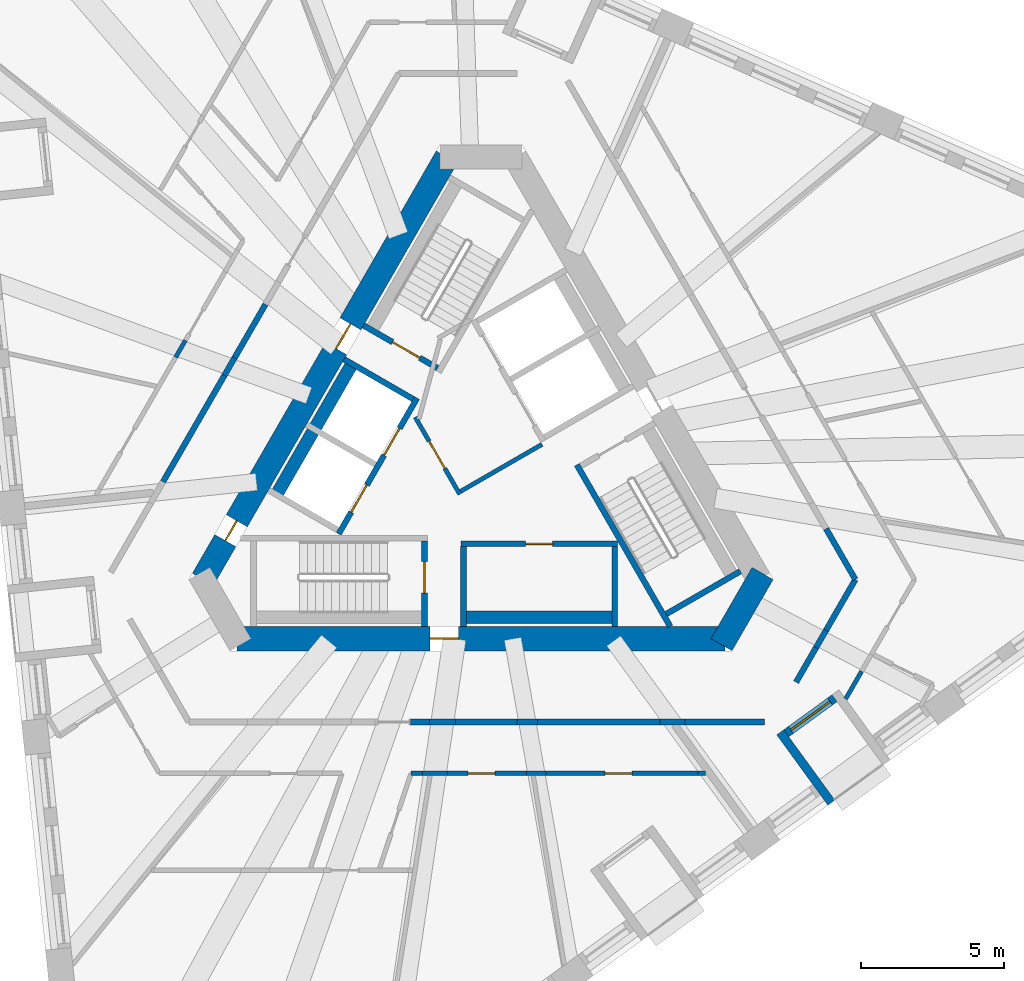
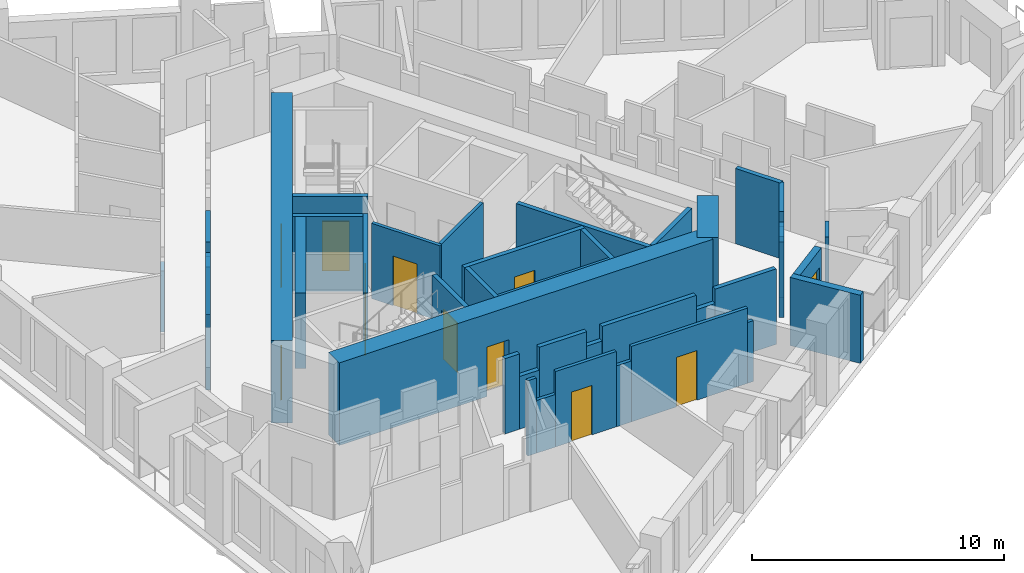
# One storey, part 4 of 14: 40 walls, 12 doors, 12 openings.
"""IFC4 building model written with IfcOpenShell, lengths in metres."""

from ifc_helpers import new_model, si_unit, direction, frame, frame_2d, origin, place, context, subcontext, project, spatial, rectangle, extrude, material, layer, layer_set, type_object, element, fill, save


model = new_model("IFC4")

# Units and contexts
model_context = context("Model", 3, precision=1e-05, world=origin(), true_north=direction((0.0, 1.0)))
body_context = subcontext(model_context, "Body", "Model", "MODEL_VIEW")
ifc_project = project(units=[si_unit("LENGTHUNIT", "METRE"), si_unit("AREAUNIT", "SQUARE_METRE"), si_unit("VOLUMEUNIT", "CUBIC_METRE"), si_unit("PLANEANGLEUNIT", "RADIAN"), si_unit("MASSUNIT", "GRAM", prefix="KILO")], contexts=[model_context])

# Site, building, storey
site_placement = place(None, origin())
site = spatial("IfcSite", under=ifc_project, at=site_placement, CompositionType="ELEMENT")
building_placement = place(site_placement, origin())
building = spatial("IfcBuilding", under=site, at=building_placement, Name="Tramontana Tower", CompositionType="ELEMENT")
storey_placement = place(building_placement, frame((0.0, 0.0, 166.800048828125)))
storey = spatial("IfcBuildingStorey", under=building, at=storey_placement, Name="L38", CompositionType="ELEMENT", Elevation=166.800048828125)

# Wall, openings, doors
ifc_material_1 = material(Name="Concrete 70 MPa", Category="concrete")
ifc_layer_1 = layer(ifc_material_1, 0.85009765625)
ifc_layer_set_1 = layer_set([ifc_layer_1], Name="Core wall 850 70 MPa")
wall_type_1 = type_object("IfcWallType", Name="Core wall 850 70 MPa", PredefinedType="SHEAR", material=ifc_layer_set_1)
wall_1_placement = place(storey_placement, frame((-1.197998046875, 10.574951171875, 0.0), z_axis=(0.0, 0.0, 1.0), x_axis=(-0.499995289315, -0.866028123483, 0.0)))
wall_1 = element("IfcWall", 1, at=wall_1_placement, inside=storey, type_object=wall_type_1, Name="Core wall C1 L38", PredefinedType="SHEAR", context=body_context, shape_type="SweptSolid", body=[
    extrude(rectangle(XDim=17.118408203125, YDim=0.85009765625, at=frame_2d((8.55908203125, 0.0))), origin(), (0.0, 0.0, 1.0), 4.0),
])
opening_1_placement = place(wall_1_placement, frame((6.76416015625, 0.0, 0.0)))
opening_1 = element("IfcOpeningElement", 2, at=opening_1_placement, cuts=wall_1, Name="Opening RG1", PredefinedType="OPENING", context=body_context, shape_type="SweptSolid", body=[
    extrude(rectangle(XDim=1.0, YDim=2.39990234375, at=frame_2d((0.5, 1.199951171875))), frame((0.0, 0.43505859375, 0.0), z_axis=(0.0, -1.0, 0.0), x_axis=(1.0, 0.0, 0.0)), (0.0, 0.0, 1.0), 0.8701171875),
])
opening_2_placement = place(wall_1_placement, frame((14.7421875, 0.0, 0.0)))
opening_2 = element("IfcOpeningElement", 3, at=opening_2_placement, cuts=wall_1, Name="Opening PD1", PredefinedType="OPENING", context=body_context, shape_type="SweptSolid", body=[
    extrude(rectangle(XDim=0.800048828125, YDim=2.10009765625, at=frame_2d((0.39990234375, 1.050048828125))), frame((0.0, 0.43505859375, 0.0), z_axis=(0.0, -1.0, 0.0), x_axis=(1.0, 0.0, 0.0)), (0.0, 0.0, 1.0), 0.8701171875),
])
ifc_material_2 = material(Name="Painted steel", Category="steel")
door_type_1 = type_object("IfcDoorType", Name="CUPBOARD DOOR 800", OperationType="SINGLE_SWING_LEFT", PredefinedType="DOOR", material=ifc_material_2)
door_1_placement = place(opening_2_placement, origin())
door_1 = element("IfcDoor", 4, at=door_1_placement, inside=storey, type_object=door_type_1, Name="Door PD1", OperationType="SINGLE_SWING_RIGHT", OverallHeight=2.10009765625, OverallWidth=0.800048828125, PredefinedType="DOOR", context=body_context, shape_type="SweptSolid", body=[
    extrude(rectangle(XDim=0.800048828125, YDim=2.10009765625, at=frame_2d((0.39990234375, 1.050048828125))), frame((0.0, 0.02490234375, 0.0), z_axis=(0.0, -1.0, 0.0), x_axis=(1.0, 0.0, 0.0)), (0.0, 0.0, 1.0), 0.050048828125),
])
fill(opening_2, door_1)
ifc_material_3 = material(Name="Painted steel", Category="steel")
door_type_2 = type_object("IfcDoorType", Name="RING DOOR 1000", OperationType="SINGLE_SWING_LEFT", PredefinedType="DOOR", material=ifc_material_3)
door_2_placement = place(opening_1_placement, origin())
door_2 = element("IfcDoor", 5, at=door_2_placement, inside=storey, type_object=door_type_2, Name="Door RG1", OperationType="SINGLE_SWING_LEFT", OverallHeight=2.39990234375, OverallWidth=1.0, PredefinedType="DOOR", context=body_context, shape_type="SweptSolid", body=[
    extrude(rectangle(XDim=1.0, YDim=2.39990234375, at=frame_2d((0.5, 1.199951171875))), frame((0.0, 0.02490234375, 0.0), z_axis=(0.0, -1.0, 0.0), x_axis=(1.0, 0.0, 0.0)), (0.0, 0.0, 1.0), 0.050048828125),
])
fill(opening_1, door_2)

# Wall, opening, door
wall_2_placement = place(storey_placement, frame((-8.55908203125, -6.324951171875, 0.0), z_axis=(0.0, 0.0, 1.0), x_axis=(1.0, 0.0, 0.0)))
wall_2 = element("IfcWall", 6, at=wall_2_placement, inside=storey, type_object=wall_type_1, Name="Core wall C3 L38", PredefinedType="SHEAR", context=body_context, shape_type="SweptSolid", body=[
    extrude(rectangle(XDim=17.1181640625, YDim=0.85009765625, at=frame_2d((8.55908203125, 0.0))), origin(), (0.0, 0.0, 1.0), 4.0),
])
opening_3_placement = place(wall_2_placement, frame((6.76416015625, 0.0, 0.0)))
opening_3 = element("IfcOpeningElement", 7, at=opening_3_placement, cuts=wall_2, Name="Opening RG2", PredefinedType="OPENING", context=body_context, shape_type="SweptSolid", body=[
    extrude(rectangle(XDim=1.0, YDim=2.39990234375, at=frame_2d((0.5, 1.199951171875))), frame((0.0, 0.43505859375, 0.0), z_axis=(0.0, -1.0, 0.0), x_axis=(1.0, 0.0, 0.0)), (0.0, 0.0, 1.0), 0.8701171875),
])
door_3_placement = place(opening_3_placement, origin())
door_3 = element("IfcDoor", 8, at=door_3_placement, inside=storey, type_object=door_type_2, Name="Door RG2", OperationType="SINGLE_SWING_RIGHT", OverallHeight=2.39990234375, OverallWidth=1.0, PredefinedType="DOOR", context=body_context, shape_type="SweptSolid", body=[
    extrude(rectangle(XDim=1.0, YDim=2.39990234375, at=frame_2d((0.5, 1.199951171875))), frame((0.0, 0.02490234375, 0.0), z_axis=(0.0, -1.0, 0.0), x_axis=(1.0, 0.0, 0.0)), (0.0, 0.0, 1.0), 0.050048828125),
])
fill(opening_3, door_3)

# Walls
wall_3_placement = place(storey_placement, frame((8.4365234375, -6.53759765625, 0.0), z_axis=(0.0, 0.0, 1.0), x_axis=(0.499995765644, 0.866027848477, 0.0)))
element("IfcWall", 9, at=wall_3_placement, inside=storey, type_object=wall_type_1, Name="Core wall C4 L38", PredefinedType="SHEAR", context=body_context, shape_type="SweptSolid", body=[
    extrude(rectangle(XDim=2.88671875, YDim=0.85009765625, at=frame_2d((1.443359375, 0.0))), origin(), (0.0, 0.0, 1.0), 4.0),
])
ifc_material_4 = material(Name="Blockwork", Category="masonry")
ifc_layer_2 = layer(ifc_material_4, 0.199951171875)
ifc_layer_set_2 = layer_set([ifc_layer_2], Name="ENTRY WALL 200")
wall_type_2 = type_object("IfcWallType", Name="ENTRY WALL 200", PredefinedType="SOLIDWALL", material=ifc_layer_set_2)
wall_4_placement = place(storey_placement, frame((12.106689453125, -2.46923828125, 0.0), z_axis=(0.0, 0.0, 1.0), x_axis=(0.499982825521, -0.866035319247, 0.0)))
element("IfcWall", 10, at=wall_4_placement, inside=storey, type_object=wall_type_2, Name="Wall v40-ew0-12", PredefinedType="SOLIDWALL", context=body_context, shape_type="SweptSolid", body=[
    extrude(rectangle(XDim=2.05615234375, YDim=0.199951171875, at=frame_2d((1.028076171875, 0.0))), origin(), (0.0, 0.0, 1.0), 3.64990234375),
])
wall_5_placement = place(storey_placement, frame((13.134765625, -4.25, 0.0), z_axis=(0.0, 0.0, 1.0), x_axis=(-0.500030520673, -0.866007781949, 0.0)))
element("IfcWall", 11, at=wall_5_placement, inside=storey, type_object=wall_type_2, Name="Wall v40-ew1-0", PredefinedType="SOLIDWALL", context=body_context, shape_type="SweptSolid", body=[
    extrude(rectangle(XDim=2.057861328125, YDim=0.199951171875, at=frame_2d((1.02880859375, 0.0))), origin(), (0.0, 0.0, 1.0), 3.64990234375),
])
wall_6_placement = place(storey_placement, frame((12.105712890625, -6.0322265625, 0.0), z_axis=(0.0, 0.0, 1.0), x_axis=(-0.49996389635, -0.866046247233, 0.0)))
element("IfcWall", 12, at=wall_6_placement, inside=storey, type_object=wall_type_2, Name="Wall v40-ew1-1", PredefinedType="SOLIDWALL", context=body_context, shape_type="SweptSolid", body=[
    extrude(rectangle(XDim=0.7001953125, YDim=0.199951171875, at=frame_2d((0.35009765625, 0.0))), origin(), (0.0, 0.0, 1.0), 2.949951171875),
])
wall_7_placement = place(storey_placement, frame((11.755615234375, -6.638671875, 0.0), z_axis=(0.0, 0.0, 1.0), x_axis=(-0.49998411664, -0.866034573852, 0.0)))
element("IfcWall", 13, at=wall_7_placement, inside=storey, type_object=wall_type_2, Name="Wall v40-ew1-2", PredefinedType="SOLIDWALL", context=body_context, shape_type="SweptSolid", body=[
    extrude(rectangle(XDim=1.39990234375, YDim=0.199951171875, at=frame_2d((0.699951171875, 0.0))), origin(), (0.0, 0.0, 1.0), 3.64990234375),
])
wall_8_placement = place(storey_placement, frame((9.95166015625, -9.25, 0.0), z_axis=(0.0, 0.0, 1.0), x_axis=(-1.0, 0.0, 0.0)))
element("IfcWall", 14, at=wall_8_placement, inside=storey, type_object=wall_type_2, Name="Wall v40-ew2-0", PredefinedType="SOLIDWALL", context=body_context, shape_type="SweptSolid", body=[
    extrude(rectangle(XDim=2.798583984375, YDim=0.199951171875, at=frame_2d((1.3994140625, 0.0))), origin(), (0.0, 0.0, 1.0), 3.64990234375),
])
wall_9_placement = place(storey_placement, frame((7.153076171875, -9.25, 0.0), z_axis=(0.0, 0.0, 1.0), x_axis=(-1.0, 0.0, 0.0)))
element("IfcWall", 15, at=wall_9_placement, inside=storey, type_object=wall_type_2, Name="Wall v40-ew2-1", PredefinedType="SOLIDWALL", context=body_context, shape_type="SweptSolid", body=[
    extrude(rectangle(XDim=0.865234375, YDim=0.199951171875, at=frame_2d((0.4326171875, 0.0))), origin(), (0.0, 0.0, 1.0), 2.949951171875),
])
wall_10_placement = place(storey_placement, frame((6.287841796875, -9.25, 0.0), z_axis=(0.0, 0.0, 1.0), x_axis=(-1.0, 0.0, 0.0)))
element("IfcWall", 16, at=wall_10_placement, inside=storey, type_object=wall_type_2, Name="Wall v40-ew2-2", PredefinedType="SOLIDWALL", context=body_context, shape_type="SweptSolid", body=[
    extrude(rectangle(XDim=4.306640625, YDim=0.199951171875, at=frame_2d((2.1533203125, 0.0))), origin(), (0.0, 0.0, 1.0), 3.64990234375),
])
wall_11_placement = place(storey_placement, frame((1.981201171875, -9.25, 0.0), z_axis=(0.0, 0.0, 1.0), x_axis=(-1.0, 0.0, 0.0)))
element("IfcWall", 17, at=wall_11_placement, inside=storey, type_object=wall_type_2, Name="Wall v40-ew2-3", PredefinedType="SOLIDWALL", context=body_context, shape_type="SweptSolid", body=[
    extrude(rectangle(XDim=0.710693359375, YDim=0.199951171875, at=frame_2d((0.35546875, 0.0))), origin(), (0.0, 0.0, 1.0), 2.949951171875),
])
wall_12_placement = place(storey_placement, frame((1.2705078125, -9.25, 0.0), z_axis=(0.0, 0.0, 1.0), x_axis=(-1.0, 0.0, 0.0)))
element("IfcWall", 18, at=wall_12_placement, inside=storey, type_object=wall_type_2, Name="Wall v40-ew2-4", PredefinedType="SOLIDWALL", context=body_context, shape_type="SweptSolid", body=[
    extrude(rectangle(XDim=2.169677734375, YDim=0.199951171875, at=frame_2d((1.0849609375, 0.0))), origin(), (0.0, 0.0, 1.0), 3.64990234375),
])
wall_13_placement = place(storey_placement, frame((-0.899169921875, -9.25, 0.0), z_axis=(0.0, 0.0, 1.0), x_axis=(-1.0, 0.0, 0.0)))
element("IfcWall", 19, at=wall_13_placement, inside=storey, type_object=wall_type_2, Name="Wall v40-ew2-5", PredefinedType="SOLIDWALL", context=body_context, shape_type="SweptSolid", body=[
    extrude(rectangle(XDim=0.909423828125, YDim=0.199951171875, at=frame_2d((0.45458984375, 0.0))), origin(), (0.0, 0.0, 1.0), 2.550048828125),
])
wall_14_placement = place(storey_placement, frame((-1.80859375, -9.25, 0.0), z_axis=(0.0, 0.0, 1.0), x_axis=(-1.0, 0.0, 0.0)))
element("IfcWall", 20, at=wall_14_placement, inside=storey, type_object=wall_type_2, Name="Wall v40-ew2-6", PredefinedType="SOLIDWALL", context=body_context, shape_type="SweptSolid", body=[
    extrude(rectangle(XDim=0.659423828125, YDim=0.199951171875, at=frame_2d((0.32958984375, 0.0))), origin(), (0.0, 0.0, 1.0), 3.64990234375),
])
wall_15_placement = place(storey_placement, frame((-11.15478515625, -0.820556640625, 0.0), z_axis=(0.0, 0.0, 1.0), x_axis=(0.499992344383, 0.866029823712, 0.0)))
element("IfcWall", 21, at=wall_15_placement, inside=storey, type_object=wall_type_2, Name="Wall v40-ew4-2", PredefinedType="SOLIDWALL", context=body_context, shape_type="SweptSolid", body=[
    extrude(rectangle(XDim=4.306640625, YDim=0.199951171875, at=frame_2d((2.1533203125, 0.0))), origin(), (0.0, 0.0, 1.0), 3.64990234375),
])
wall_16_placement = place(storey_placement, frame((-9.00146484375, 2.9091796875, 0.0), z_axis=(0.0, 0.0, 1.0), x_axis=(0.50012879774, 0.865951029603, 0.0)))
element("IfcWall", 22, at=wall_16_placement, inside=storey, type_object=wall_type_2, Name="Wall v40-ew4-3", PredefinedType="SOLIDWALL", context=body_context, shape_type="SweptSolid", body=[
    extrude(rectangle(XDim=0.710693359375, YDim=0.199951171875, at=frame_2d((0.35546875, 0.0))), origin(), (0.0, 0.0, 1.0), 2.949951171875),
])
wall_17_placement = place(storey_placement, frame((-8.64599609375, 3.524658203125, 0.0), z_axis=(0.0, 0.0, 1.0), x_axis=(0.499975720793, 0.866039420937, 0.0)))
element("IfcWall", 23, at=wall_17_placement, inside=storey, type_object=wall_type_2, Name="Wall v40-ew4-4", PredefinedType="SOLIDWALL", context=body_context, shape_type="SweptSolid", body=[
    extrude(rectangle(XDim=2.16943359375, YDim=0.199951171875, at=frame_2d((1.084716796875, 0.0))), origin(), (0.0, 0.0, 1.0), 3.64990234375),
])

# Wall, opening, door
ifc_material_5 = material(Name="Precast concrete 60 MPa", Category="concrete")
ifc_layer_3 = layer(ifc_material_5, 0.300048828125)
ifc_layer_set_3 = layer_set([ifc_layer_3], Name="LW1 Stone-faced loggia wall 300")
wall_type_3 = type_object("IfcWallType", Name="LW1 Stone-faced loggia wall 300", PredefinedType="SOLIDWALL", material=ifc_layer_set_3)
wall_18_placement = place(storey_placement, frame((10.710205078125, -9.647216796875, 0.0), z_axis=(0.0, 0.0, 1.0), x_axis=(0.808972932648, 0.587845893277, 0.0)))
wall_18 = element("IfcWall", 24, at=wall_18_placement, inside=storey, type_object=wall_type_3, Name="Loggia wall L38 G4S1.10", PredefinedType="SOLIDWALL", context=body_context, shape_type="SweptSolid", body=[
    extrude(rectangle(XDim=2.094482421875, YDim=0.300048828125, at=frame_2d((1.04736328125, 0.0))), origin(), (0.0, 0.0, 1.0), 3.300048828125),
])
opening_4_placement = place(wall_18_placement, frame((0.197265625, 0.0, 0.0)))
opening_4 = element("IfcOpeningElement", 25, at=opening_4_placement, cuts=wall_18, Name="Opening BD-4S1-10", PredefinedType="OPENING", context=body_context, shape_type="SweptSolid", body=[
    extrude(rectangle(XDim=1.699951171875, YDim=2.449951171875, at=frame_2d((0.85009765625, 1.22509765625))), frame((0.0, 0.159912109375, 0.0), z_axis=(0.0, -1.0, 0.0), x_axis=(1.0, 0.0, 0.0)), (0.0, 0.0, 1.0), 0.320068359375),
])
ifc_material_6 = material(Name="Aluminum frame, double glazing unit", Category="aluminium")
door_type_3 = type_object("IfcDoorType", Name="BD2 Sliding door 1.7 x 2.45", OperationType="SLIDING_TO_LEFT", PredefinedType="DOOR", material=ifc_material_6)
door_4_placement = place(opening_4_placement, origin())
door_4 = element("IfcDoor", 26, at=door_4_placement, inside=storey, type_object=door_type_3, Name="Loggia door L38 G4S1.10", OperationType="SLIDING_TO_LEFT", OverallHeight=2.449951171875, OverallWidth=1.699951171875, PredefinedType="DOOR", context=body_context, shape_type="SweptSolid", body=[
    extrude(rectangle(XDim=1.699951171875, YDim=2.449951171875, at=frame_2d((0.85009765625, 1.22509765625))), frame((0.0, 0.02490234375, 0.0), z_axis=(0.0, -1.0, 0.0), x_axis=(1.0, 0.0, 0.0)), (0.0, 0.0, 1.0), 0.050048828125),
])
fill(opening_4, door_4)

# Wall
wall_19_placement = place(storey_placement, frame((12.29345703125, -12.08154296875, 0.0), z_axis=(0.0, 0.0, 1.0), x_axis=(-0.587776590479, 0.80902328748, 0.0)))
element("IfcWall", 27, at=wall_19_placement, inside=storey, type_object=wall_type_3, Name="Loggia return L38 G4S1.10a", PredefinedType="SOLIDWALL", context=body_context, shape_type="SweptSolid", body=[
    extrude(rectangle(XDim=3.050048828125, YDim=0.300048828125, at=frame_2d((1.52490234375, 0.0))), origin(), (0.0, 0.0, 1.0), 3.300048828125),
])

# Wall, opening, door
ifc_material_7 = material(Name="Gypsum board partition")
ifc_layer_4 = layer(ifc_material_7, 0.14990234375)
ifc_layer_set_4 = layer_set([ifc_layer_4], Name="PARTITION 150")
wall_type_4 = type_object("IfcWallType", Name="PARTITION 150", PredefinedType="PARTITIONING", material=ifc_layer_set_4)
wall_20_placement = place(storey_placement, frame((-0.744140625, -1.260986328125, 0.0), z_axis=(0.0, 0.0, 1.0), x_axis=(-0.500004234368, 0.866022959057, 0.0)))
wall_20 = element("IfcWall", 28, at=wall_20_placement, inside=storey, type_object=wall_type_4, Name="Wall ff-front", PredefinedType="PARTITIONING", context=body_context, shape_type="SweptSolid", body=[
    extrude(rectangle(XDim=3.125, YDim=0.14990234375, at=frame_2d((1.5625, 0.0))), origin(), (0.0, 0.0, 1.0), 3.64990234375),
])
opening_5_placement = place(wall_20_placement, frame((1.050048828125, 0.0, 0.0)))
opening_5 = element("IfcOpeningElement", 29, at=opening_5_placement, cuts=wall_20, Name="Opening FD1", PredefinedType="OPENING", context=body_context, shape_type="SweptSolid", body=[
    extrude(rectangle(XDim=1.10009765625, YDim=2.39990234375, at=frame_2d((0.550048828125, 1.199951171875))), frame((0.0, 0.0849609375, 0.0), z_axis=(0.0, -1.0, 0.0), x_axis=(1.0, 0.0, 0.0)), (0.0, 0.0, 1.0), 0.169921875),
])
ifc_material_8 = material(Name="Painted timber", Category="wood")
door_type_4 = type_object("IfcDoorType", Name="DOOR ENTRY 1100", OperationType="SINGLE_SWING_LEFT", PredefinedType="DOOR", material=ifc_material_8)
door_5_placement = place(opening_5_placement, origin())
door_5 = element("IfcDoor", 30, at=door_5_placement, inside=storey, type_object=door_type_4, Name="Door FD1", OperationType="SINGLE_SWING_RIGHT", OverallHeight=2.39990234375, OverallWidth=1.10009765625, PredefinedType="DOOR", context=body_context, shape_type="SweptSolid", body=[
    extrude(rectangle(XDim=1.10009765625, YDim=2.39990234375, at=frame_2d((0.550048828125, 1.199951171875))), frame((0.0, 0.02490234375, 0.0), z_axis=(0.0, -1.0, 0.0), x_axis=(1.0, 0.0, 0.0)), (0.0, 0.0, 1.0), 0.050048828125),
])
fill(opening_5, door_5)

# Walls
wall_21_placement = place(storey_placement, frame((-0.716796875, -1.15869140625, 0.0), z_axis=(0.0, 0.0, 1.0), x_axis=(0.866008176907, 0.50002983664, 0.0)))
element("IfcWall", 31, at=wall_21_placement, inside=storey, type_object=wall_type_4, Name="Wall ff-end0", PredefinedType="PARTITIONING", context=body_context, shape_type="SweptSolid", body=[
    extrude(rectangle(XDim=3.300048828125, YDim=0.14990234375, at=frame_2d((1.64990234375, 0.0))), origin(), (0.0, 0.0, 1.0), 3.64990234375),
])
wall_22_placement = place(storey_placement, frame((-10.712158203125, 3.546142578125, 0.0), z_axis=(0.0, 0.0, 1.0), x_axis=(0.50012328804, 0.865954211699, 0.0)))
element("IfcWall", 32, at=wall_22_placement, inside=storey, type_object=wall_type_4, Name="Wall v40-pw03-2", PredefinedType="PARTITIONING", context=body_context, shape_type="SweptSolid", body=[
    extrude(rectangle(XDim=0.685302734375, YDim=0.14990234375, at=frame_2d((0.3427734375, 0.0))), origin(), (0.0, 0.0, 1.0), 2.949951171875),
])
wall_23_placement = place(storey_placement, frame((7.873779296875, -11.050048828125, 0.0), z_axis=(0.0, 0.0, 1.0), x_axis=(-1.0, 0.0, 0.0)))
element("IfcWall", 33, at=wall_23_placement, inside=storey, type_object=wall_type_4, Name="Wall v40-pw27-0", PredefinedType="PARTITIONING", context=body_context, shape_type="SweptSolid", body=[
    extrude(rectangle(XDim=0.2626953125, YDim=0.14990234375, at=frame_2d((0.13134765625, 0.0))), origin(), (0.0, 0.0, 1.0), 2.949951171875),
])

# Wall, opening, door
wall_24_placement = place(storey_placement, frame((7.611083984375, -11.050048828125, 0.0), z_axis=(0.0, 0.0, 1.0), x_axis=(-1.0, 0.0, 0.0)))
wall_24 = element("IfcWall", 34, at=wall_24_placement, inside=storey, type_object=wall_type_4, Name="Wall v40-pw27-1", PredefinedType="PARTITIONING", context=body_context, shape_type="SweptSolid", body=[
    extrude(rectangle(XDim=5.326171875, YDim=0.14990234375, at=frame_2d((2.6630859375, 0.0))), origin(), (0.0, 0.0, 1.0), 3.64990234375),
])
opening_6_placement = place(wall_24_placement, frame((2.31201171875, 0.0, 0.0)))
opening_6 = element("IfcOpeningElement", 35, at=opening_6_placement, cuts=wall_24, Name="Opening B4A-13", PredefinedType="OPENING", context=body_context, shape_type="SweptSolid", body=[
    extrude(rectangle(XDim=0.949951171875, YDim=2.39990234375, at=frame_2d((0.47509765625, 1.199951171875))), frame((0.0, 0.0849609375, 0.0), z_axis=(0.0, -1.0, 0.0), x_axis=(1.0, 0.0, 0.0)), (0.0, 0.0, 1.0), 0.169921875),
])
ifc_material_9 = material(Name="Painted timber", Category="wood")
door_type_5 = type_object("IfcDoorType", Name="DOOR ROOM 950", OperationType="SINGLE_SWING_LEFT", PredefinedType="DOOR", material=ifc_material_9)
door_6_placement = place(opening_6_placement, origin())
door_6 = element("IfcDoor", 36, at=door_6_placement, inside=storey, type_object=door_type_5, Name="Door B4A-13", OperationType="SINGLE_SWING_LEFT", OverallHeight=2.39990234375, OverallWidth=0.949951171875, PredefinedType="DOOR", context=body_context, shape_type="SweptSolid", body=[
    extrude(rectangle(XDim=0.949951171875, YDim=2.39990234375, at=frame_2d((0.47509765625, 1.199951171875))), frame((0.0, 0.02490234375, 0.0), z_axis=(0.0, -1.0, 0.0), x_axis=(1.0, 0.0, 0.0)), (0.0, 0.0, 1.0), 0.050048828125),
])
fill(opening_6, door_6)

# Wall
wall_25_placement = place(storey_placement, frame((2.284912109375, -11.050048828125, 0.0), z_axis=(0.0, 0.0, 1.0), x_axis=(-1.0, 0.0, 0.0)))
element("IfcWall", 37, at=wall_25_placement, inside=storey, type_object=wall_type_4, Name="Wall v40-pw27-2", PredefinedType="PARTITIONING", context=body_context, shape_type="SweptSolid", body=[
    extrude(rectangle(XDim=0.685302734375, YDim=0.14990234375, at=frame_2d((0.3427734375, 0.0))), origin(), (0.0, 0.0, 1.0), 2.949951171875),
])

# Wall, opening, door
wall_26_placement = place(storey_placement, frame((1.599609375, -11.050048828125, 0.0), z_axis=(0.0, 0.0, 1.0), x_axis=(-1.0, 0.0, 0.0)))
wall_26 = element("IfcWall", 38, at=wall_26_placement, inside=storey, type_object=wall_type_4, Name="Wall v40-pw27-3", PredefinedType="PARTITIONING", context=body_context, shape_type="SweptSolid", body=[
    extrude(rectangle(XDim=2.77490234375, YDim=0.14990234375, at=frame_2d((1.387451171875, 0.0))), origin(), (0.0, 0.0, 1.0), 3.64990234375),
])
opening_7_placement = place(wall_26_placement, frame((1.1025390625, 0.0, 0.0)))
opening_7 = element("IfcOpeningElement", 39, at=opening_7_placement, cuts=wall_26, Name="Opening B4A-12", PredefinedType="OPENING", context=body_context, shape_type="SweptSolid", body=[
    extrude(rectangle(XDim=0.949951171875, YDim=2.39990234375, at=frame_2d((0.47509765625, 1.199951171875))), frame((0.0, 0.0849609375, 0.0), z_axis=(0.0, -1.0, 0.0), x_axis=(1.0, 0.0, 0.0)), (0.0, 0.0, 1.0), 0.169921875),
])
door_7_placement = place(opening_7_placement, origin())
door_7 = element("IfcDoor", 40, at=door_7_placement, inside=storey, type_object=door_type_5, Name="Door B4A-12", OperationType="SINGLE_SWING_RIGHT", OverallHeight=2.39990234375, OverallWidth=0.949951171875, PredefinedType="DOOR", context=body_context, shape_type="SweptSolid", body=[
    extrude(rectangle(XDim=0.949951171875, YDim=2.39990234375, at=frame_2d((0.47509765625, 1.199951171875))), frame((0.0, 0.02490234375, 0.0), z_axis=(0.0, -1.0, 0.0), x_axis=(1.0, 0.0, 0.0)), (0.0, 0.0, 1.0), 0.050048828125),
])
fill(opening_7, door_7)

# Walls
wall_27_placement = place(storey_placement, frame((-1.17529296875, -11.050048828125, 0.0), z_axis=(0.0, 0.0, 1.0), x_axis=(-1.0, 0.0, 0.0)))
element("IfcWall", 41, at=wall_27_placement, inside=storey, type_object=wall_type_4, Name="Wall v40-pw27-4", PredefinedType="PARTITIONING", context=body_context, shape_type="SweptSolid", body=[
    extrude(rectangle(XDim=0.88427734375, YDim=0.14990234375, at=frame_2d((0.442138671875, 0.0))), origin(), (0.0, 0.0, 1.0), 2.550048828125),
])
wall_28_placement = place(storey_placement, frame((-2.0595703125, -11.050048828125, 0.0), z_axis=(0.0, 0.0, 1.0), x_axis=(-1.0, 0.0, 0.0)))
element("IfcWall", 42, at=wall_28_placement, inside=storey, type_object=wall_type_4, Name="Wall v40-pw27-5", PredefinedType="PARTITIONING", context=body_context, shape_type="SweptSolid", body=[
    extrude(rectangle(XDim=0.3916015625, YDim=0.14990234375, at=frame_2d((0.19580078125, 0.0))), origin(), (0.0, 0.0, 1.0), 3.64990234375),
])
wall_29_placement = place(storey_placement, frame((13.3525390625, -7.47265625, 0.0), z_axis=(0.0, 0.0, 1.0), x_axis=(-0.500037474894, -0.866003766563, 0.0)))
element("IfcWall", 43, at=wall_29_placement, inside=storey, type_object=wall_type_4, Name="Wall v40-pw33-2", PredefinedType="PARTITIONING", context=body_context, shape_type="SweptSolid", body=[
    extrude(rectangle(XDim=1.1181640625, YDim=0.14990234375, at=frame_2d((0.55908203125, 0.0))), origin(), (0.0, 0.0, 1.0), 3.64990234375),
])
ifc_material_10 = material(Name="Concrete 70 MPa", Category="concrete")
ifc_layer_5 = layer(ifc_material_10, 0.449951171875)
ifc_layer_set_5 = layer_set([ifc_layer_5], Name="Concrete 70 MPa, 450 mm")
wall_type_5 = type_object("IfcWallType", Name="RC SHAFT BACK WALL 450", PredefinedType="SOLIDWALL", material=ifc_layer_set_5)
for number, where, z_axis, x_axis, name in (
    (44, (-4.47314453125, 3.40234375, 0.0), (0.0, 0.0, 1.0), (-0.499996545922, -0.866027397988, 0.0), "Wall row0-back"),
    (45, (-0.7099609375, -5.574951171875, 0.0), (0.0, 0.0, 1.0), (1.0, 0.0, 0.0), "Wall row1-back"),
):
    element("IfcWall", number, at=place(storey_placement, frame(where, z_axis=z_axis, x_axis=x_axis)), inside=storey, type_object=wall_type_5, Name=name, PredefinedType="SOLIDWALL", context=body_context, shape_type="SweptSolid", body=[
        extrude(rectangle(XDim=5.5, YDim=0.449951171875, at=frame_2d((2.75, 0.0))), origin(), (0.0, 0.0, 1.0), 3.64990234375),
    ])

# Wall, opening, door
ifc_material_11 = material(Name="Concrete 70 MPa", Category="concrete")
ifc_layer_6 = layer(ifc_material_11, 0.199951171875)
ifc_layer_set_6 = layer_set([ifc_layer_6], Name="Concrete 70 MPa, 200 mm")
wall_type_6 = type_object("IfcWallType", Name="RC STAIR AND SHAFT WALL 200", PredefinedType="SOLIDWALL", material=ifc_layer_set_6)
wall_30_placement = place(storey_placement, frame((-1.521484375, 3.164794921875, 0.0), z_axis=(0.0, 0.0, 1.0), x_axis=(-0.866031096941, 0.499990139034, 0.0)))
wall_30 = element("IfcWall", 46, at=wall_30_placement, inside=storey, type_object=wall_type_6, Name="Wall st1-near", PredefinedType="SOLIDWALL", context=body_context, shape_type="SweptSolid", body=[
    extrude(rectangle(XDim=3.0, YDim=0.199951171875, at=frame_2d((1.5, 0.0))), origin(), (0.0, 0.0, 1.0), 3.64990234375),
])
opening_8_placement = place(wall_30_placement, frame((0.72509765625, 0.0, 0.0)))
opening_8 = element("IfcOpeningElement", 47, at=opening_8_placement, cuts=wall_30, Name="Opening SD1", PredefinedType="OPENING", context=body_context, shape_type="SweptSolid", body=[
    extrude(rectangle(XDim=1.10009765625, YDim=2.39990234375, at=frame_2d((0.550048828125, 1.199951171875))), frame((0.0, 0.10986328125, 0.0), z_axis=(0.0, -1.0, 0.0), x_axis=(1.0, 0.0, 0.0)), (0.0, 0.0, 1.0), 0.219970703125),
])
ifc_material_12 = material(Name="Painted steel", Category="steel")
door_type_6 = type_object("IfcDoorType", Name="STAIR DOOR 1100", OperationType="SINGLE_SWING_LEFT", PredefinedType="DOOR", material=ifc_material_12)
door_8_placement = place(opening_8_placement, origin())
door_8 = element("IfcDoor", 48, at=door_8_placement, inside=storey, type_object=door_type_6, Name="Door SD1", OperationType="SINGLE_SWING_RIGHT", OverallHeight=2.39990234375, OverallWidth=1.10009765625, PredefinedType="DOOR", context=body_context, shape_type="SweptSolid", body=[
    extrude(rectangle(XDim=1.10009765625, YDim=2.39990234375, at=frame_2d((0.550048828125, 1.199951171875))), frame((0.0, 0.02490234375, 0.0), z_axis=(0.0, -1.0, 0.0), x_axis=(1.0, 0.0, 0.0)), (0.0, 0.0, 1.0), 0.050048828125),
])
fill(opening_8, door_8)

wall_31_placement = place(storey_placement, frame((-1.97998046875, -2.89990234375, 0.0), z_axis=(0.0, 0.0, 1.0), x_axis=(0.0, -1.0, 0.0)))
wall_31 = element("IfcWall", 49, at=wall_31_placement, inside=storey, type_object=wall_type_6, Name="Wall st2-near", PredefinedType="SOLIDWALL", context=body_context, shape_type="SweptSolid", body=[
    extrude(rectangle(XDim=3.0, YDim=0.199951171875, at=frame_2d((1.5, 0.0))), origin(), (0.0, 0.0, 1.0), 3.64990234375),
])
opening_9_placement = place(wall_31_placement, frame((0.72509765625, 0.0, 0.0)))
opening_9 = element("IfcOpeningElement", 50, at=opening_9_placement, cuts=wall_31, Name="Opening SD2", PredefinedType="OPENING", context=body_context, shape_type="SweptSolid", body=[
    extrude(rectangle(XDim=1.10009765625, YDim=2.39990234375, at=frame_2d((0.550048828125, 1.199951171875))), frame((0.0, 0.10986328125, 0.0), z_axis=(0.0, -1.0, 0.0), x_axis=(1.0, 0.0, 0.0)), (0.0, 0.0, 1.0), 0.219970703125),
])
door_9_placement = place(opening_9_placement, origin())
door_9 = element("IfcDoor", 51, at=door_9_placement, inside=storey, type_object=door_type_6, Name="Door SD2", OperationType="SINGLE_SWING_LEFT", OverallHeight=2.39990234375, OverallWidth=1.10009765625, PredefinedType="DOOR", context=body_context, shape_type="SweptSolid", body=[
    extrude(rectangle(XDim=1.10009765625, YDim=2.39990234375, at=frame_2d((0.550048828125, 1.199951171875))), frame((0.0, 0.02490234375, 0.0), z_axis=(0.0, -1.0, 0.0), x_axis=(1.0, 0.0, 0.0)), (0.0, 0.0, 1.0), 0.050048828125),
])
fill(opening_9, door_9)

# Walls
wall_32_placement = place(storey_placement, frame((6.6396484375, -5.89990234375, 0.0), z_axis=(0.0, 0.0, 1.0), x_axis=(-0.499999959354, 0.866025427251, 0.0)))
element("IfcWall", 52, at=wall_32_placement, inside=storey, type_object=wall_type_6, Name="Wall st3-front", PredefinedType="SOLIDWALL", context=body_context, shape_type="SweptSolid", body=[
    extrude(rectangle(XDim=6.54931640625, YDim=0.199951171875, at=frame_2d((3.274658203125, 0.0))), origin(), (0.0, 0.0, 1.0), 3.64990234375),
])
wall_33_placement = place(storey_placement, frame((6.50146484375, -5.4609375, 0.0), z_axis=(0.0, 0.0, 1.0), x_axis=(0.866031096941, 0.499990139034, 0.0)))
element("IfcWall", 53, at=wall_33_placement, inside=storey, type_object=wall_type_6, Name="Wall st3-far", PredefinedType="SOLIDWALL", context=body_context, shape_type="SweptSolid", body=[
    extrude(rectangle(XDim=3.0, YDim=0.199951171875, at=frame_2d((1.5, 0.0))), origin(), (0.0, 0.0, 1.0), 3.64990234375),
])

# Wall, openings, doors
wall_34_placement = place(storey_placement, frame((-2.2431640625, 2.114990234375, 0.0), z_axis=(0.0, 0.0, 1.0), x_axis=(-0.499996545922, -0.866027397988, 0.0)))
wall_34 = element("IfcWall", 54, at=wall_34_placement, inside=storey, type_object=wall_type_6, Name="Wall row0-front", PredefinedType="SOLIDWALL", context=body_context, shape_type="SweptSolid", body=[
    extrude(rectangle(XDim=5.5, YDim=0.199951171875, at=frame_2d((2.75, 0.0))), origin(), (0.0, 0.0, 1.0), 3.64990234375),
])
opening_10_placement = place(wall_34_placement, frame((1.219970703125, 0.0, 0.0)))
opening_10 = element("IfcOpeningElement", 55, at=opening_10_placement, cuts=wall_34, Name="Opening LD-P1", PredefinedType="OPENING", context=body_context, shape_type="SweptSolid", body=[
    extrude(rectangle(XDim=1.10009765625, YDim=2.10009765625, at=frame_2d((0.550048828125, 1.050048828125))), frame((0.0, 0.10986328125, 0.0), z_axis=(0.0, -1.0, 0.0), x_axis=(1.0, 0.0, 0.0)), (0.0, 0.0, 1.0), 0.219970703125),
])
opening_11_placement = place(wall_34_placement, frame((3.52490234375, 0.0, 0.0)))
opening_11 = element("IfcOpeningElement", 56, at=opening_11_placement, cuts=wall_34, Name="Opening LD-P2", PredefinedType="OPENING", context=body_context, shape_type="SweptSolid", body=[
    extrude(rectangle(XDim=1.10009765625, YDim=2.10009765625, at=frame_2d((0.550048828125, 1.050048828125))), frame((0.0, 0.10986328125, 0.0), z_axis=(0.0, -1.0, 0.0), x_axis=(1.0, 0.0, 0.0)), (0.0, 0.0, 1.0), 0.219970703125),
])
ifc_material_13 = material(Name="Brushed steel", Category="steel")
door_type_7 = type_object("IfcDoorType", Name="LANDING DOOR 1100", OperationType="SINGLE_SWING_LEFT", PredefinedType="DOOR", material=ifc_material_13)
door_10_placement = place(opening_10_placement, origin())
door_10 = element("IfcDoor", 57, at=door_10_placement, inside=storey, type_object=door_type_7, Name="Door LD-P1", OperationType="SLIDING_TO_LEFT", OverallHeight=2.10009765625, OverallWidth=1.10009765625, PredefinedType="DOOR", context=body_context, shape_type="SweptSolid", body=[
    extrude(rectangle(XDim=1.10009765625, YDim=2.10009765625, at=frame_2d((0.550048828125, 1.050048828125))), frame((0.0, 0.02490234375, 0.0), z_axis=(0.0, -1.0, 0.0), x_axis=(1.0, 0.0, 0.0)), (0.0, 0.0, 1.0), 0.050048828125),
])
fill(opening_10, door_10)
door_11_placement = place(opening_11_placement, origin())
door_11 = element("IfcDoor", 58, at=door_11_placement, inside=storey, type_object=door_type_7, Name="Door LD-P2", OperationType="SLIDING_TO_RIGHT", OverallHeight=2.10009765625, OverallWidth=1.10009765625, PredefinedType="DOOR", context=body_context, shape_type="SweptSolid", body=[
    extrude(rectangle(XDim=1.10009765625, YDim=2.10009765625, at=frame_2d((0.550048828125, 1.050048828125))), frame((0.0, 0.02490234375, 0.0), z_axis=(0.0, -1.0, 0.0), x_axis=(1.0, 0.0, 0.0)), (0.0, 0.0, 1.0), 0.050048828125),
])
fill(opening_11, door_11)

# Wall
wall_35_placement = place(storey_placement, frame((-2.379638671875, 2.078369140625, 0.0), z_axis=(0.0, 0.0, 1.0), x_axis=(-0.866034573852, 0.49998411664, 0.0)))
element("IfcWall", 59, at=wall_35_placement, inside=storey, type_object=wall_type_6, Name="Wall row0-side0", PredefinedType="SOLIDWALL", context=body_context, shape_type="SweptSolid", body=[
    extrude(rectangle(XDim=2.7998046875, YDim=0.199951171875, at=frame_2d((1.39990234375, 0.0))), origin(), (0.0, 0.0, 1.0), 3.64990234375),
])

# Wall, opening, door
wall_36_placement = place(storey_placement, frame((4.7900390625, -3.0, 0.0), z_axis=(0.0, 0.0, 1.0), x_axis=(-1.0, 0.0, 0.0)))
wall_36 = element("IfcWall", 60, at=wall_36_placement, inside=storey, type_object=wall_type_6, Name="Wall row1-front", PredefinedType="SOLIDWALL", context=body_context, shape_type="SweptSolid", body=[
    extrude(rectangle(XDim=5.5, YDim=0.199951171875, at=frame_2d((2.75, 0.0))), origin(), (0.0, 0.0, 1.0), 3.64990234375),
])
opening_12_placement = place(wall_36_placement, frame((2.27490234375, 0.0, 0.0)))
opening_12 = element("IfcOpeningElement", 61, at=opening_12_placement, cuts=wall_36, Name="Opening RD-1", PredefinedType="OPENING", context=body_context, shape_type="SweptSolid", body=[
    extrude(rectangle(XDim=0.949951171875, YDim=2.39990234375, at=frame_2d((0.47509765625, 1.199951171875))), frame((0.0, 0.10986328125, 0.0), z_axis=(0.0, -1.0, 0.0), x_axis=(1.0, 0.0, 0.0)), (0.0, 0.0, 1.0), 0.219970703125),
])
door_12_placement = place(opening_12_placement, origin())
door_12 = element("IfcDoor", 62, at=door_12_placement, inside=storey, type_object=door_type_5, Name="Door RD-1", OperationType="SINGLE_SWING_LEFT", OverallHeight=2.39990234375, OverallWidth=0.949951171875, PredefinedType="DOOR", context=body_context, shape_type="SweptSolid", body=[
    extrude(rectangle(XDim=0.949951171875, YDim=2.39990234375, at=frame_2d((0.47509765625, 1.199951171875))), frame((0.0, 0.02490234375, 0.0), z_axis=(0.0, -1.0, 0.0), x_axis=(1.0, 0.0, 0.0)), (0.0, 0.0, 1.0), 0.050048828125),
])
fill(opening_12, door_12)

# Walls
for number, where, z_axis, x_axis, name in (
    (63, (-0.610107421875, -3.10009765625, 0.0), (0.0, 0.0, 1.0), (0.0, -1.0, 0.0), "Wall row1-side0"),
    (64, (4.68994140625, -3.10009765625, 0.0), (0.0, 0.0, 1.0), (0.0, -1.0, 0.0), "Wall row1-side2"),
):
    element("IfcWall", number, at=place(storey_placement, frame(where, z_axis=z_axis, x_axis=x_axis)), inside=storey, type_object=wall_type_6, Name=name, PredefinedType="SOLIDWALL", context=body_context, shape_type="SweptSolid", body=[
        extrude(rectangle(XDim=2.7998046875, YDim=0.199951171875, at=frame_2d((1.39990234375, 0.0))), origin(), (0.0, 0.0, 1.0), 3.64990234375),
    ])

save(model, "model.ifc")
